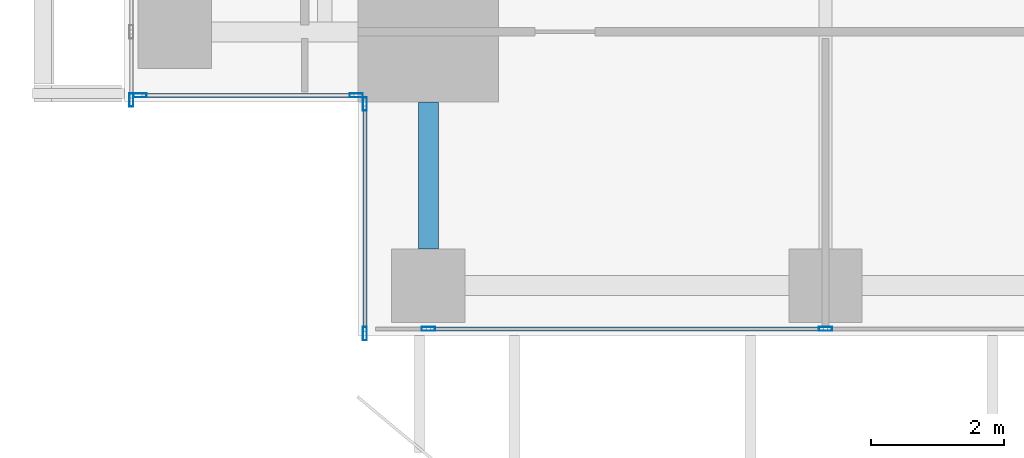
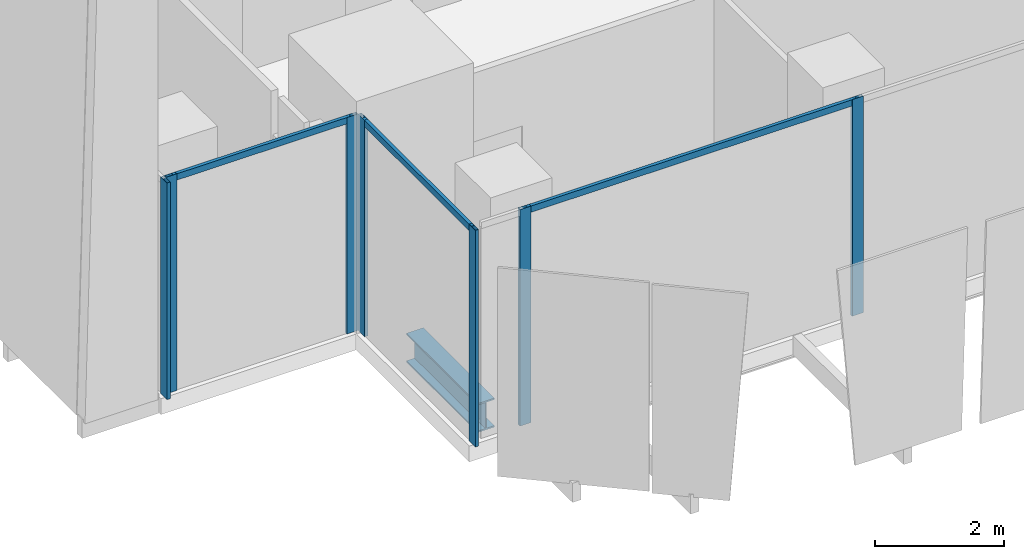
# One storey, part 2 of 34: 10 members, 1 beam, 4 elements without a shape of their own.
"""IFC4 building model written with IfcOpenShell, lengths in metres."""

from ifc_helpers import new_model, si_unit, direction, frame, origin, origin_2d, place, context, subcontext, project, spatial, hollow_rectangle, i_section, extrude, source, transform, mapped, material, material_profile, profile_set, type_object, element, aggregate, save


model = new_model("IFC4")

# Units and contexts
model_context = context("Model", 3, precision=1e-05, world=origin(), true_north=direction((0.0, 1.0)))
body_context = subcontext(model_context, "Body", "Model", "MODEL_VIEW")
ifc_project = project(units=[si_unit("LENGTHUNIT", "METRE"), si_unit("AREAUNIT", "SQUARE_METRE"), si_unit("VOLUMEUNIT", "CUBIC_METRE"), si_unit("PLANEANGLEUNIT", "RADIAN"), si_unit("MASSUNIT", "GRAM", prefix="KILO")], contexts=[model_context])

# Site, building, storey
site_placement = place(None, origin())
site = spatial("IfcSite", under=ifc_project, at=site_placement, CompositionType="ELEMENT")
building_placement = place(site_placement, origin())
building = spatial("IfcBuilding", under=site, at=building_placement, Name="Khomas Fold Tower", CompositionType="ELEMENT")
storey_placement = place(building_placement, frame((0.0, 0.0, 154.300048828125)))
storey = spatial("IfcBuildingStorey", under=building, at=storey_placement, Name="L33", CompositionType="ELEMENT", Elevation=154.300048828125)

# Beam
ifc_material_1 = material(Name="Steel S355", Category="steel")
ifc_material_profile_1 = material_profile(ifc_material_1, i_section(OverallWidth=0.300048828125, OverallDepth=0.550048828125, WebThickness=0.014892578125, FlangeThickness=0.029052734375, at=origin_2d()), Name="HE 550 B")
ifc_profile_set_1 = profile_set([ifc_material_profile_1], Name="Steel S355")
beam_type = type_object("IfcBeamType", Name="HE 550 B spandrel SB2", PredefinedType="SPANDREL", material=ifc_profile_set_1)
shared_shape_1 = source(origin(), body_context, "Body", "SweptSolid", [
    extrude(i_section(OverallWidth=0.300048828125, OverallDepth=0.550048828125, WebThickness=0.014892578125, FlangeThickness=0.029052734375, at=origin_2d()), origin(), (0.0, 0.0, 1.0), 2.199951171875),
])
beam_placement = place(storey_placement, frame((6.050048828125, 2.800048828125, -0.574951171875), z_axis=(0.0, 1.0, 0.0), x_axis=(-1.0, 0.0, 0.0)))
element("IfcBeam", 1, at=beam_placement, inside=storey, type_object=beam_type, Name="SB2", PredefinedType="SPANDREL", context=body_context, shape_type="MappedRepresentation", body=[
    mapped(shared_shape_1, transform((0.0, 0.0, 0.0))),
])

# Curtain wall, member
ifc_material_2 = material(Name="Aluminium framed double glazing", Category="aluminium")
curtain_wall_type = type_object("IfcCurtainWallType", Name="SK-Unitised clear-glass wall, growing floors CW1", PredefinedType="NOTDEFINED", material=ifc_material_2)
curtain_wall_1_placement = place(storey_placement, origin())
curtain_wall_1 = element("IfcCurtainWall", 2, at=curtain_wall_1_placement, inside=storey, type_object=curtain_wall_type, Name="CW1 run L33 00-0", PredefinedType="NOTDEFINED")
ifc_material_3 = material(Name="Aluminium", Category="aluminium")
ifc_material_profile_2 = material_profile(ifc_material_3, hollow_rectangle(XDim=0.06005859375, YDim=0.1201171875, WallThickness=0.00390625, at=origin_2d()), Name="SK-Unitised clear-glass wall, growing floors transom CW1-T")
ifc_profile_set_2 = profile_set([ifc_material_profile_2], Name="Aluminium")
member_type_1 = type_object("IfcMemberType", Name="SK-Unitised clear-glass wall, growing floors transom CW1-T", PredefinedType="USERDEFINED", material=ifc_profile_set_2)
shared_shape_2 = source(origin(), body_context, "Body", "SweptSolid", [
    extrude(hollow_rectangle(XDim=0.06005859375, YDim=0.1201171875, WallThickness=0.00390625, at=origin_2d()), origin(), (0.0, 0.0, 1.0), 5.889892578125),
])
member_1_placement = place(storey_placement, frame((6.080078125, 1.60009765625, 4.0400390625), z_axis=(1.0, 0.0, 0.0), x_axis=(0.0, 1.0, 0.0)))
member_1 = element("IfcMember", 3, at=member_1_placement, type_object=member_type_1, Name="CW1 transom 2", ObjectType="TRANSOM", PredefinedType="USERDEFINED", context=body_context, shape_type="MappedRepresentation", body=[
    mapped(shared_shape_2, transform((0.0, 0.0, 0.0))),
])

curtain_wall_2_placement = place(storey_placement, origin())
curtain_wall_2 = element("IfcCurtainWall", 4, at=curtain_wall_2_placement, inside=storey, type_object=curtain_wall_type, Name="CW1 corner return L33 10", PredefinedType="NOTDEFINED")
shared_shape_3 = source(origin(), body_context, "Body", "SweptSolid", [
    extrude(hollow_rectangle(XDim=0.06005859375, YDim=0.1201171875, WallThickness=0.00390625, at=origin_2d()), origin(), (0.0, 0.0, 1.0), 3.179931640625),
])
member_2_placement = place(storey_placement, frame((1.760009765625, 5.10009765625, 4.0400390625), z_axis=(1.0, 0.0, 0.0), x_axis=(0.0, 1.0, 0.0)))
member_2 = element("IfcMember", 5, at=member_2_placement, type_object=member_type_1, Name="CW1 transom 1", ObjectType="TRANSOM", PredefinedType="USERDEFINED", context=body_context, shape_type="MappedRepresentation", body=[
    mapped(shared_shape_3, transform((0.0, 0.0, 0.0))),
])

curtain_wall_3_placement = place(storey_placement, origin())
curtain_wall_3 = element("IfcCurtainWall", 6, at=curtain_wall_3_placement, inside=storey, type_object=curtain_wall_type, Name="CW1 corner return L33 11", PredefinedType="NOTDEFINED")
shared_shape_4 = source(origin(), body_context, "Body", "SweptSolid", [
    extrude(hollow_rectangle(XDim=0.06005859375, YDim=0.1201171875, WallThickness=0.00390625, at=origin_2d()), origin(), (0.0, 0.0, 1.0), 3.3798828125),
])
member_3_placement = place(storey_placement, frame((5.10009765625, 4.93994140625, 4.0400390625), z_axis=(0.0, -1.0, 0.0), x_axis=(1.0, 0.0, 0.0)))
member_3 = element("IfcMember", 7, at=member_3_placement, type_object=member_type_1, Name="CW1 transom 1", ObjectType="TRANSOM", PredefinedType="USERDEFINED", context=body_context, shape_type="MappedRepresentation", body=[
    mapped(shared_shape_4, transform((0.0, 0.0, 0.0))),
])

# Member
ifc_material_4 = material(Name="Aluminium", Category="aluminium")
ifc_material_profile_3 = material_profile(ifc_material_4, hollow_rectangle(XDim=0.06005859375, YDim=0.199951171875, WallThickness=0.00390625, at=origin_2d()), Name="SK-Unitised clear-glass wall, growing floors mullion CW1-M")
ifc_profile_set_3 = profile_set([ifc_material_profile_3], Name="Aluminium")
member_type_2 = type_object("IfcMemberType", Name="SK-Unitised clear-glass wall, growing floors mullion CW1-M", PredefinedType="MULLION", material=ifc_profile_set_3)
shared_shape_5 = source(origin(), body_context, "Body", "SweptSolid", [
    extrude(hollow_rectangle(XDim=0.06005859375, YDim=0.199951171875, WallThickness=0.00390625, at=origin_2d()), origin(), (0.0, 0.0, 1.0), 4.099853515625),
])
member_4_placement = place(storey_placement, frame((6.050048828125, 1.60009765625, 0.0), z_axis=(0.0, 0.0, 1.0), x_axis=(0.0, 1.0, 0.0)))
member_4 = element("IfcMember", 8, at=member_4_placement, type_object=member_type_2, Name="CW1 mullion 2", PredefinedType="MULLION", context=body_context, shape_type="MappedRepresentation", body=[
    mapped(shared_shape_5, transform((0.0, 0.0, 0.0))),
])

member_5_placement = place(storey_placement, frame((12.0, 1.60009765625, 0.0), z_axis=(0.0, 0.0, 1.0), x_axis=(0.0, 1.0, 0.0)))
member_5 = element("IfcMember", 9, at=member_5_placement, type_object=member_type_2, Name="CW1 mullion 3", PredefinedType="MULLION", context=body_context, shape_type="MappedRepresentation", body=[
    mapped(shared_shape_5, transform((0.0, 0.0, 0.0))),
])

aggregate(curtain_wall_1, [member_4, member_5, member_1])

# Curtain wall, member
curtain_wall_4_placement = place(storey_placement, origin())
curtain_wall_4 = element("IfcCurtainWall", 10, at=curtain_wall_4_placement, inside=storey, type_object=curtain_wall_type, Name="CW1 run L33 09-1", PredefinedType="NOTDEFINED")
member_6_placement = place(storey_placement, frame((1.60009765625, 5.030029296875, 0.0), z_axis=(0.0, 0.0, 1.0), x_axis=(1.0, 0.0, 0.0)))
member_6 = element("IfcMember", 11, at=member_6_placement, type_object=member_type_2, Name="CW1 mullion 4", PredefinedType="MULLION", context=body_context, shape_type="MappedRepresentation", body=[
    mapped(shared_shape_5, transform((0.0, 0.0, 0.0))),
])
aggregate(curtain_wall_4, [member_6])

# Member
member_7_placement = place(storey_placement, frame((1.72998046875, 5.10009765625, 0.0), z_axis=(0.0, 0.0, 1.0), x_axis=(0.0, 1.0, 0.0)))
member_7 = element("IfcMember", 12, at=member_7_placement, type_object=member_type_2, Name="CW1 mullion 1", PredefinedType="MULLION", context=body_context, shape_type="MappedRepresentation", body=[
    mapped(shared_shape_5, transform((0.0, 0.0, 0.0))),
])

member_8_placement = place(storey_placement, frame((4.969970703125, 5.10009765625, 0.0), z_axis=(0.0, 0.0, 1.0), x_axis=(0.0, 1.0, 0.0)))
member_8 = element("IfcMember", 13, at=member_8_placement, type_object=member_type_2, Name="CW1 mullion 2", PredefinedType="MULLION", context=body_context, shape_type="MappedRepresentation", body=[
    mapped(shared_shape_5, transform((0.0, 0.0, 0.0))),
])

aggregate(curtain_wall_2, [member_7, member_8, member_2])

member_9_placement = place(storey_placement, frame((5.10009765625, 4.969970703125, 0.0), z_axis=(0.0, 0.0, 1.0), x_axis=(1.0, 0.0, 0.0)))
member_9 = element("IfcMember", 14, at=member_9_placement, type_object=member_type_2, Name="CW1 mullion 1", PredefinedType="MULLION", context=body_context, shape_type="MappedRepresentation", body=[
    mapped(shared_shape_5, transform((0.0, 0.0, 0.0))),
])

member_10_placement = place(storey_placement, frame((5.10009765625, 1.530029296875, 0.0), z_axis=(0.0, 0.0, 1.0), x_axis=(1.0, 0.0, 0.0)))
member_10 = element("IfcMember", 15, at=member_10_placement, type_object=member_type_2, Name="CW1 mullion 2", PredefinedType="MULLION", context=body_context, shape_type="MappedRepresentation", body=[
    mapped(shared_shape_5, transform((0.0, 0.0, 0.0))),
])

aggregate(curtain_wall_3, [member_9, member_10, member_3])

save(model, "model.ifc")
